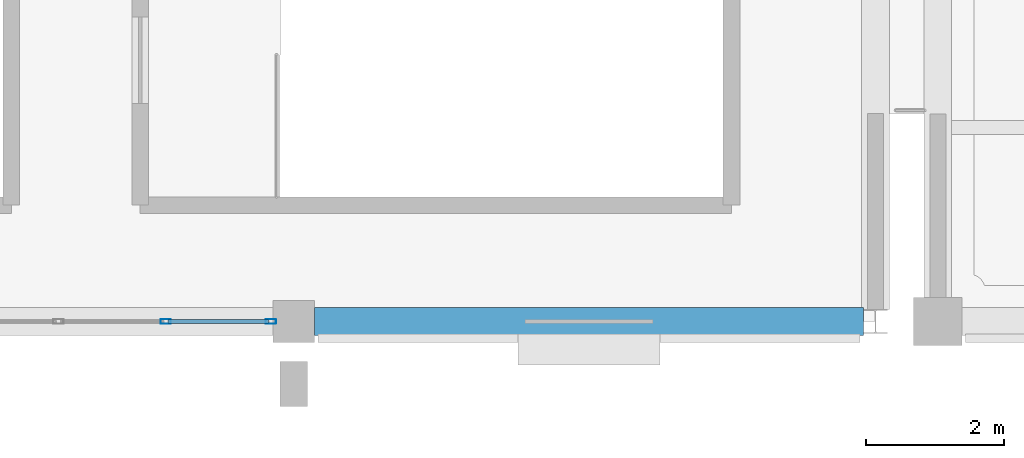
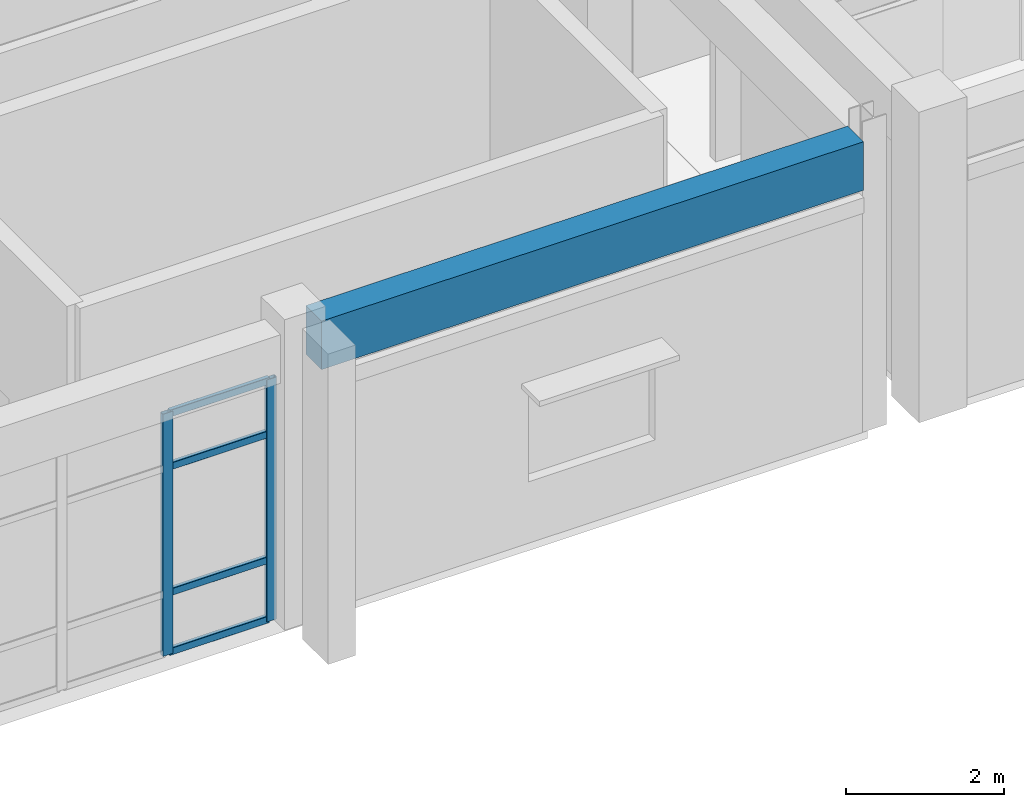
# One storey, part 12 of 98: 6 members, 1 beam, 1 element without a shape of its own.
"""IFC4 building model written with IfcOpenShell, lengths in metres."""

from ifc_helpers import new_model, si_unit, direction, frame, origin, origin_2d, place, context, subcontext, project, spatial, rectangle, hollow_rectangle, extrude, material, material_profile, profile_set, type_object, element, aggregate, save


model = new_model("IFC4")

# Units and contexts
model_context = context("Model", 3, precision=1e-05, world=origin(), true_north=direction((0.0, 1.0)))
body_context = subcontext(model_context, "Body", "Model", "MODEL_VIEW")
ifc_project = project(units=[si_unit("LENGTHUNIT", "METRE"), si_unit("AREAUNIT", "SQUARE_METRE"), si_unit("VOLUMEUNIT", "CUBIC_METRE"), si_unit("PLANEANGLEUNIT", "RADIAN"), si_unit("MASSUNIT", "GRAM", prefix="KILO")], contexts=[model_context])

# Site, building, storey
site_placement = place(None, origin())
site = spatial("IfcSite", under=ifc_project, at=site_placement, CompositionType="ELEMENT")
building_placement = place(site_placement, origin())
building = spatial("IfcBuilding", under=site, at=building_placement, Name="Canglan Escarpment Cableway Terminal", CompositionType="ELEMENT")
storey_placement = place(building_placement, frame((0.0, 0.0, 9.60009765625)))
storey = spatial("IfcBuildingStorey", under=building, at=storey_placement, Name="L02", CompositionType="ELEMENT", Elevation=9.60009765625)

# Curtain wall, members
ifc_material_1 = material(Name="Anodized bronze aluminium and Low-E double glazing", Category="aluminium")
curtain_wall_type = type_object("IfcCurtainWallType", Name="CW-BAY-7750x3750", PredefinedType="NOTDEFINED", material=ifc_material_1)
curtain_wall_placement = place(storey_placement, origin())
curtain_wall = element("IfcCurtainWall", 1, at=curtain_wall_placement, inside=storey, type_object=curtain_wall_type, Name="Classical bay-between-piers glazed curtain wall CW-07", PredefinedType="NOTDEFINED")
ifc_material_2 = material(Name="Thermally broken anodized aluminium 6063-T6", Category="aluminium")
ifc_material_profile_1 = material_profile(ifc_material_2, hollow_rectangle(XDim=0.06494140625, YDim=0.14990234375, WallThickness=0.00341796875, InnerFilletRadius=0.00341796875, OuterFilletRadius=0.007080078125, at=origin_2d()), Name="ALU-MULL 65x150x3.5")
ifc_profile_set_1 = profile_set([ifc_material_profile_1], Name="Thermally broken anodized aluminium 6063-T6")
member_type_1 = type_object("IfcMemberType", Name="CWM-02", PredefinedType="MULLION", material=ifc_profile_set_1)
member_1_placement = place(storey_placement, frame((65.85009765625, 8.0, 0.0), z_axis=(0.0, 0.0, 1.0), x_axis=(0.0, 1.0, 0.0)))
member_1 = element("IfcMember", 2, at=member_1_placement, type_object=member_type_1, Name="CW-07 mullion 5", PredefinedType="MULLION", context=body_context, shape_type="SweptSolid", body=[
    extrude(hollow_rectangle(XDim=0.06494140625, YDim=0.14990234375, WallThickness=0.00341796875, InnerFilletRadius=0.00341796875, OuterFilletRadius=0.007080078125, at=origin_2d()), origin(), (0.0, 0.0, 1.0), 3.744873046875),
])
member_2_placement = place(storey_placement, frame((67.367431640625, 8.0, 0.0), z_axis=(0.0, 0.0, 1.0), x_axis=(0.0, 1.0, 0.0)))
member_2 = element("IfcMember", 3, at=member_2_placement, type_object=member_type_1, Name="CW-07 mullion 6", PredefinedType="MULLION", context=body_context, shape_type="SweptSolid", body=[
    extrude(hollow_rectangle(XDim=0.06494140625, YDim=0.14990234375, WallThickness=0.00341796875, InnerFilletRadius=0.00341796875, OuterFilletRadius=0.007080078125, at=origin_2d()), origin(), (0.0, 0.0, 1.0), 3.744873046875),
])
ifc_material_profile_2 = material_profile(ifc_material_2, hollow_rectangle(XDim=0.06005859375, YDim=0.110107421875, WallThickness=0.0029296875, InnerFilletRadius=0.0029296875, OuterFilletRadius=0.006103515625, at=origin_2d()), Name="ALU-TRAN 60x110x3")
ifc_profile_set_2 = profile_set([ifc_material_profile_2], Name="Thermally broken anodized aluminium 6063-T6")
member_type_2 = type_object("IfcMemberType", Name="CWT-02", PredefinedType="USERDEFINED", material=ifc_profile_set_2)
member_3_placement = place(storey_placement, frame((65.882568359375, 8.0, 0.02978515625), z_axis=(1.0, 0.0, 0.0), x_axis=(0.0, 1.0, 0.0)))
member_3 = element("IfcMember", 4, at=member_3_placement, type_object=member_type_2, Name="CW-07 transom 5.1", ObjectType="TRANSOM", PredefinedType="USERDEFINED", context=body_context, shape_type="SweptSolid", body=[
    extrude(hollow_rectangle(XDim=0.06005859375, YDim=0.110107421875, WallThickness=0.0029296875, InnerFilletRadius=0.0029296875, OuterFilletRadius=0.006103515625, at=origin_2d()), origin(), (0.0, 0.0, 1.0), 1.452392578125),
])
member_4_placement = place(storey_placement, frame((65.882568359375, 8.0, 0.949951171875), z_axis=(1.0, 0.0, 0.0), x_axis=(0.0, 1.0, 0.0)))
member_4 = element("IfcMember", 5, at=member_4_placement, type_object=member_type_2, Name="CW-07 transom 5.2", ObjectType="TRANSOM", PredefinedType="USERDEFINED", context=body_context, shape_type="SweptSolid", body=[
    extrude(hollow_rectangle(XDim=0.06005859375, YDim=0.110107421875, WallThickness=0.0029296875, InnerFilletRadius=0.0029296875, OuterFilletRadius=0.006103515625, at=origin_2d()), origin(), (0.0, 0.0, 1.0), 1.452392578125),
])
member_5_placement = place(storey_placement, frame((65.882568359375, 8.0, 2.89501953125), z_axis=(1.0, 0.0, 0.0), x_axis=(0.0, 1.0, 0.0)))
member_5 = element("IfcMember", 6, at=member_5_placement, type_object=member_type_2, Name="CW-07 transom 5.3", ObjectType="TRANSOM", PredefinedType="USERDEFINED", context=body_context, shape_type="SweptSolid", body=[
    extrude(hollow_rectangle(XDim=0.06005859375, YDim=0.110107421875, WallThickness=0.0029296875, InnerFilletRadius=0.0029296875, OuterFilletRadius=0.006103515625, at=origin_2d()), origin(), (0.0, 0.0, 1.0), 1.452392578125),
])
member_6_placement = place(storey_placement, frame((65.882568359375, 8.0, 3.71484375), z_axis=(1.0, 0.0, 0.0), x_axis=(0.0, 1.0, 0.0)))
member_6 = element("IfcMember", 7, at=member_6_placement, type_object=member_type_2, Name="CW-07 transom 5.4", ObjectType="TRANSOM", PredefinedType="USERDEFINED", context=body_context, shape_type="SweptSolid", body=[
    extrude(hollow_rectangle(XDim=0.06005859375, YDim=0.110107421875, WallThickness=0.0029296875, InnerFilletRadius=0.0029296875, OuterFilletRadius=0.006103515625, at=origin_2d()), origin(), (0.0, 0.0, 1.0), 1.452392578125),
])
aggregate(curtain_wall, [member_1, member_2, member_3, member_4, member_5, member_6])

# Beam
ifc_material_3 = material(Name="Concrete C40", Category="concrete")
ifc_material_profile_3 = material_profile(ifc_material_3, rectangle(XDim=0.39990234375, YDim=0.75, at=origin_2d()), Name="RC 400x750")
ifc_profile_set_3 = profile_set([ifc_material_profile_3], Name="Concrete C40")
beam_type = type_object("IfcBeamType", Name="SP-RC400x750", PredefinedType="SPANDREL", material=ifc_profile_set_3)
beam_placement = place(storey_placement, frame((68.0, 8.0, 4.135009765625), z_axis=(1.0, 0.0, 0.0), x_axis=(0.0, 1.0, 0.0)))
element("IfcBeam", 8, at=beam_placement, inside=storey, type_object=beam_type, Name="Primary structural girder SP-01", PredefinedType="SPANDREL", context=body_context, shape_type="SweptSolid", body=[
    extrude(rectangle(XDim=0.39990234375, YDim=0.75, at=origin_2d()), origin(), (0.0, 0.0, 1.0), 7.925048828125),
])

save(model, "model.ifc")
